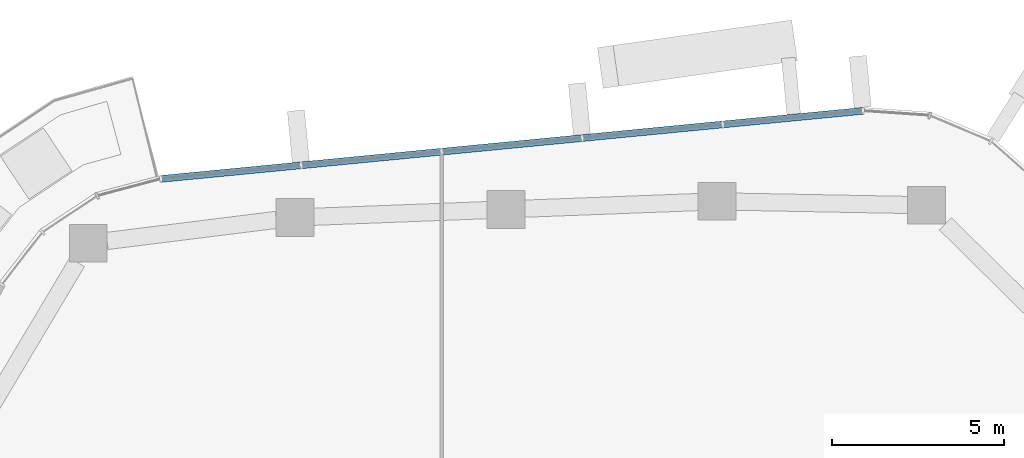
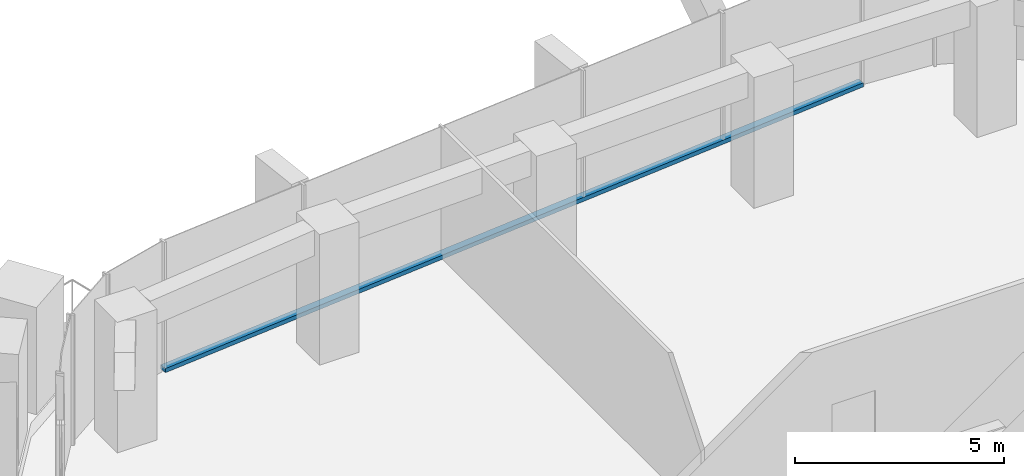
# One storey, part 7 of 20: 1 member, 1 element without a shape of its own.
"""IFC4 building model written with IfcOpenShell, lengths in metres."""

from ifc_helpers import new_model, si_unit, direction, frame, origin, origin_2d, place, context, subcontext, project, spatial, rectangle, extrude, material, layer, layer_set, material_profile, profile_set, type_object, element, aggregate, save


model = new_model("IFC4")

# Units and contexts
model_context = context("Model", 3, precision=1e-05, world=origin(), true_north=direction((0.0, 1.0)))
body_context = subcontext(model_context, "Body", "Model", "MODEL_VIEW")
ifc_project = project(units=[si_unit("LENGTHUNIT", "METRE"), si_unit("AREAUNIT", "SQUARE_METRE"), si_unit("VOLUMEUNIT", "CUBIC_METRE"), si_unit("PLANEANGLEUNIT", "RADIAN"), si_unit("MASSUNIT", "GRAM", prefix="KILO")], contexts=[model_context])

# Site, building, storey
site_placement = place(None, origin())
site = spatial("IfcSite", under=ifc_project, at=site_placement, CompositionType="ELEMENT")
building_placement = place(site_placement, origin())
building = spatial("IfcBuilding", under=site, at=building_placement, Name="Dongbaek Canopy Tower", CompositionType="ELEMENT")
storey_placement = place(building_placement, frame((0.0, 0.0, 253.800048828125)))
storey = spatial("IfcBuildingStorey", under=building, at=storey_placement, Name="L53", CompositionType="ELEMENT", Elevation=253.800048828125)

# Curtain wall, member
ifc_material_1 = material(Name="Aluminium 6063-T6 pale anodised", Category="aluminium")
ifc_layer = layer(ifc_material_1, 0.199951171875)
ifc_layer_set = layer_set([ifc_layer], Name="CW-1 unitised tower curtain wall")
curtain_wall_type = type_object("IfcCurtainWallType", Name="CW-1 unitised tower curtain wall", PredefinedType="NOTDEFINED", material=ifc_layer_set)
curtain_wall_placement = place(storey_placement, origin())
curtain_wall = element("IfcCurtainWall", 1, at=curtain_wall_placement, inside=storey, type_object=curtain_wall_type, Name="CW-1 curtain wall F1.1", PredefinedType="NOTDEFINED")
ifc_material_2 = material(Name="Aluminium 6063-T6 pale anodised", Category="aluminium")
ifc_material_profile = material_profile(ifc_material_2, rectangle(XDim=0.199951171875, YDim=0.1201171875, at=origin_2d()), Name="CW-1 transom 120 x 200")
ifc_profile_set = profile_set([ifc_material_profile], Name="Aluminium 6063-T6 pale anodised")
member_type = type_object("IfcMemberType", Name="CW-1 transom 120 x 200", PredefinedType="USERDEFINED", material=ifc_profile_set)
member_placement = place(storey_placement, frame((9.1396484375, 27.35205078125, 0.06005859375), z_axis=(-0.995332112486, -0.096508993645, 0.0), x_axis=(0.096508993645, -0.995332112486, 0.0)))
member = element("IfcMember", 2, at=member_placement, type_object=member_type, Name="CW-1 transom F1.1.1", ObjectType="TRANSOM", PredefinedType="USERDEFINED", context=body_context, shape_type="SweptSolid", body=[
    extrude(rectangle(XDim=0.199951171875, YDim=0.1201171875, at=origin_2d()), origin(), (0.0, 0.0, 1.0), 20.5615234375),
])
aggregate(curtain_wall, [member])

save(model, "model.ifc")
